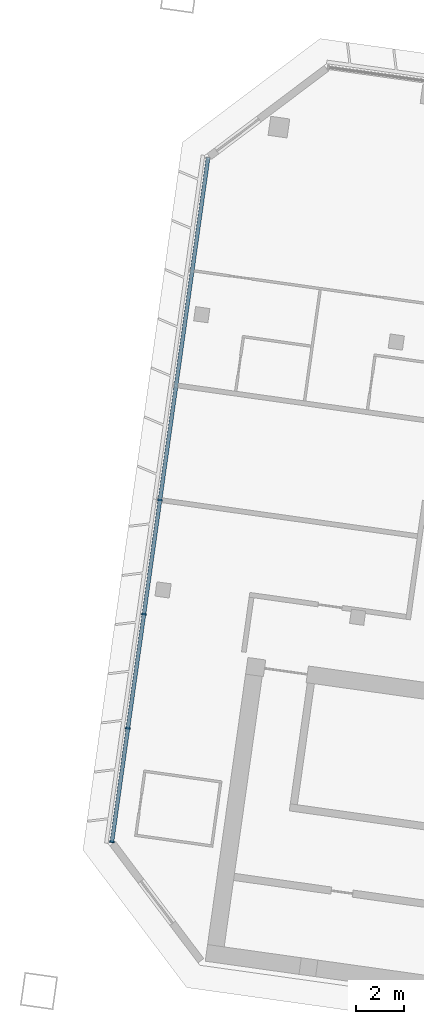
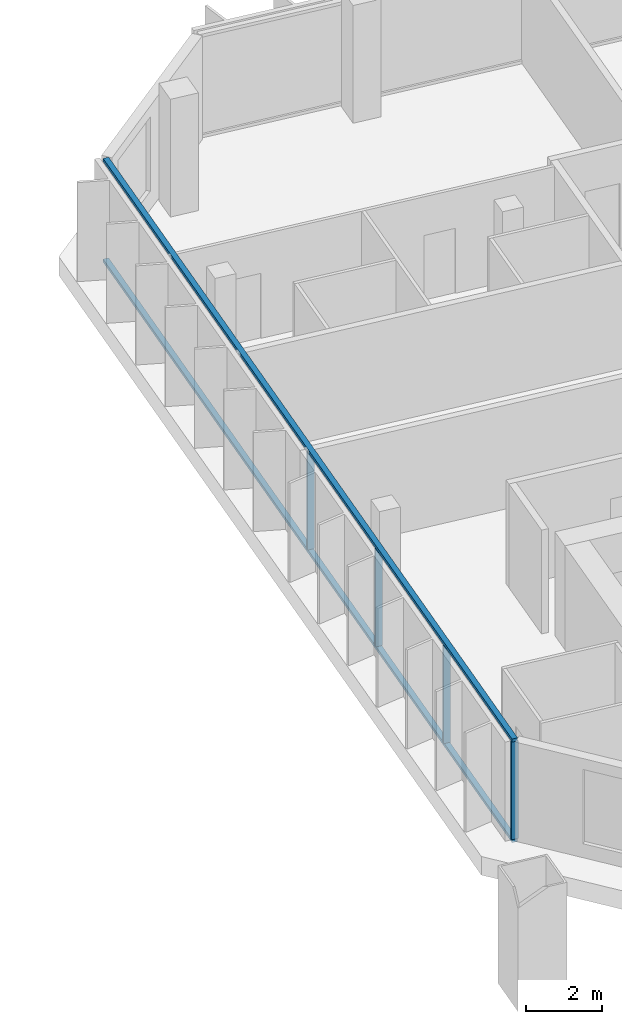
# One storey, part 2 of 22: 6 members, 1 element without a shape of its own.
"""IFC4 building model written with IfcOpenShell, lengths in metres."""

from ifc_helpers import new_model, si_unit, direction, frame, origin, origin_2d, place, context, subcontext, project, spatial, rectangle, extrude, material, material_profile, profile_set, type_object, element, aggregate, save


model = new_model("IFC4")

# Units and contexts
model_context = context("Model", 3, precision=1e-05, world=origin(), true_north=direction((0.0, 1.0)))
body_context = subcontext(model_context, "Body", "Model", "MODEL_VIEW")
ifc_project = project(units=[si_unit("LENGTHUNIT", "METRE"), si_unit("AREAUNIT", "SQUARE_METRE"), si_unit("VOLUMEUNIT", "CUBIC_METRE"), si_unit("PLANEANGLEUNIT", "RADIAN"), si_unit("MASSUNIT", "GRAM", prefix="KILO")], contexts=[model_context])

# Site, building, storey
site_placement = place(None, origin())
site = spatial("IfcSite", under=ifc_project, at=site_placement, CompositionType="ELEMENT")
building_placement = place(site_placement, origin())
building = spatial("IfcBuilding", under=site, at=building_placement, Name="Mirante Cascada Hotel Towers", CompositionType="ELEMENT")
storey_placement = place(building_placement, frame((0.0, 0.0, 191.6)))
storey = spatial("IfcBuildingStorey", under=building, at=storey_placement, Name="L45", CompositionType="ELEMENT", Elevation=191.6)

# Curtain wall, members
ifc_material_1 = material(Name="Aluminium mullion and transom frame with clear laminated glass", Category="aluminium")
curtain_wall_type = type_object("IfcCurtainWallType", Name="End ribbon curtain wall ECW2", PredefinedType="NOTDEFINED", material=ifc_material_1)
curtain_wall_placement = place(storey_placement, origin())
curtain_wall = element("IfcCurtainWall", 1, at=curtain_wall_placement, inside=storey, type_object=curtain_wall_type, Name="Outer end wall T1 L45", PredefinedType="NOTDEFINED")
ifc_material_2 = material(Name="Anodised aluminium extrusion", Category="aluminium")
ifc_material_profile_1 = material_profile(ifc_material_2, rectangle(XDim=0.2, YDim=0.065, at=origin_2d()), Name="ECW2 MULLION 65x200")
ifc_profile_set_1 = profile_set([ifc_material_profile_1], Name="Anodised aluminium extrusion")
member_type_1 = type_object("IfcMemberType", Name="ECW2 mullion 65x200", PredefinedType="MULLION", material=ifc_profile_set_1)
member_1_placement = place(storey_placement, frame((-85.3308, -8.7707, 0.1), z_axis=(0.0, 0.0, 1.0), x_axis=(-0.9902681, 0.1391731, 0.0)))
member_1 = element("IfcMember", 2, at=member_1_placement, type_object=member_type_1, Name="ECW2 mullion 1", PredefinedType="MULLION", context=body_context, shape_type="SweptSolid", body=[
    extrude(rectangle(XDim=0.2, YDim=0.065, at=origin_2d()), origin(), (0.0, 0.0, 1.0), 3.15),
])
member_2_placement = place(storey_placement, frame((-84.6655, -4.0371, 0.1), z_axis=(0.0, 0.0, 1.0), x_axis=(-0.9902681, 0.1391731, 0.0)))
member_2 = element("IfcMember", 3, at=member_2_placement, type_object=member_type_1, Name="ECW2 mullion 2", PredefinedType="MULLION", context=body_context, shape_type="SweptSolid", body=[
    extrude(rectangle(XDim=0.2, YDim=0.065, at=origin_2d()), origin(), (0.0, 0.0, 1.0), 3.15),
])
member_3_placement = place(storey_placement, frame((-83.9957, 0.7287, 0.1), z_axis=(0.0, 0.0, 1.0), x_axis=(-0.9902681, 0.1391731, 0.0)))
member_3 = element("IfcMember", 4, at=member_3_placement, type_object=member_type_1, Name="ECW2 mullion 3", PredefinedType="MULLION", context=body_context, shape_type="SweptSolid", body=[
    extrude(rectangle(XDim=0.2, YDim=0.065, at=origin_2d()), origin(), (0.0, 0.0, 1.0), 3.15),
])
member_4_placement = place(storey_placement, frame((-83.3259, 5.4945, 0.1), z_axis=(0.0, 0.0, 1.0), x_axis=(-0.9902681, 0.1391731, 0.0)))
member_4 = element("IfcMember", 5, at=member_4_placement, type_object=member_type_1, Name="ECW2 mullion 4", PredefinedType="MULLION", context=body_context, shape_type="SweptSolid", body=[
    extrude(rectangle(XDim=0.2, YDim=0.065, at=origin_2d()), origin(), (0.0, 0.0, 1.0), 3.15),
])
ifc_material_3 = material(Name="Anodised aluminium extrusion", Category="aluminium")
ifc_material_profile_2 = material_profile(ifc_material_3, rectangle(XDim=0.16, YDim=0.1, at=origin_2d()), Name="ECW2 TRANSOM 100x160")
ifc_profile_set_2 = profile_set([ifc_material_profile_2], Name="Anodised aluminium extrusion")
member_type_2 = type_object("IfcMemberType", Name="ECW2 transom 100x160", PredefinedType="USERDEFINED", material=ifc_profile_set_2)
member_5_placement = place(storey_placement, frame((-85.3353, -8.8029, 0.05), z_axis=(0.1391723, 0.9902682, 0.0), x_axis=(-0.9902682, 0.1391723, 0.0)))
member_5 = element("IfcMember", 6, at=member_5_placement, type_object=member_type_2, Name="ECW2 sill transom", ObjectType="TRANSOM", PredefinedType="USERDEFINED", context=body_context, shape_type="SweptSolid", body=[
    extrude(rectangle(XDim=0.16, YDim=0.1, at=origin_2d()), origin(), (0.0, 0.0, 1.0), 28.8757),
])
member_6_placement = place(storey_placement, frame((-85.3353, -8.8029, 3.3), z_axis=(0.1391723, 0.9902682, 0.0), x_axis=(-0.9902682, 0.1391723, 0.0)))
member_6 = element("IfcMember", 7, at=member_6_placement, type_object=member_type_2, Name="ECW2 head transom", ObjectType="TRANSOM", PredefinedType="USERDEFINED", context=body_context, shape_type="SweptSolid", body=[
    extrude(rectangle(XDim=0.16, YDim=0.1, at=origin_2d()), origin(), (0.0, 0.0, 1.0), 28.8757),
])
aggregate(curtain_wall, [member_5, member_6, member_1, member_2, member_3, member_4])

save(model, "model.ifc")
